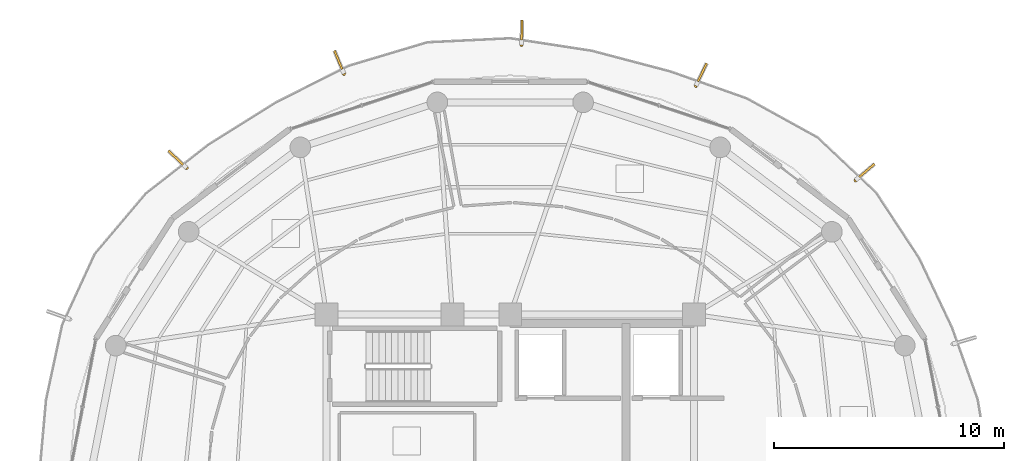
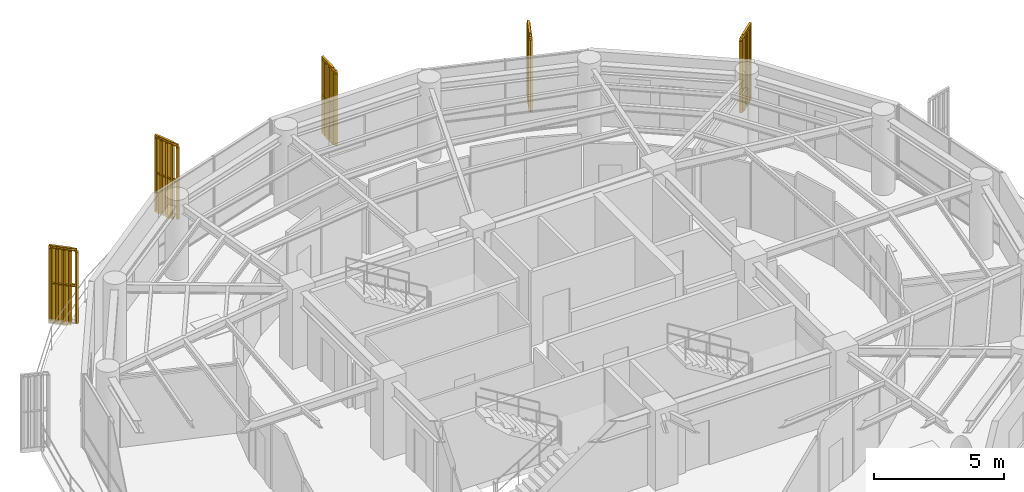
# One storey, part 23 of 23: 5 railings, 5 shading devices.
"""IFC4 building model written with IfcOpenShell, lengths in metres."""

from ifc_helpers import new_model, si_unit, direction, frame, origin, origin_2d, place, context, subcontext, project, spatial, polyline, rectangle, outline, extrude, source, transform, mapped, material, type_object, element, save


model = new_model("IFC4")

# Units and contexts
model_context = context("Model", 3, precision=1e-05, world=origin(), true_north=direction((0.0, 1.0)))
body_context = subcontext(model_context, "Body", "Model", "MODEL_VIEW")
ifc_project = project(units=[si_unit("LENGTHUNIT", "METRE"), si_unit("AREAUNIT", "SQUARE_METRE"), si_unit("VOLUMEUNIT", "CUBIC_METRE"), si_unit("PLANEANGLEUNIT", "RADIAN"), si_unit("MASSUNIT", "GRAM", prefix="KILO")], contexts=[model_context])

# Site, building, storey
site_placement = place(None, origin())
site = spatial("IfcSite", under=ifc_project, at=site_placement, CompositionType="ELEMENT")
building_placement = place(site_placement, origin())
building = spatial("IfcBuilding", under=site, at=building_placement, Name="Kelanora Arch Commons", CompositionType="ELEMENT")
storey_placement = place(building_placement, frame((0.0, 0.0, 286.199951171875)))
storey = spatial("IfcBuildingStorey", under=building, at=storey_placement, Name="L73", CompositionType="ELEMENT", Elevation=286.199951171875)

# Railings
ifc_material_1 = material(Name="Anodised bronze vertical shading fin rib assembly")
railing_type = type_object("IfcRailingType", Name="RAIL-FIN-BRZ", PredefinedType="BALUSTRADE", material=ifc_material_1)
railing_1_placement = place(storey_placement, frame((89.03662109375, 70.843017578125, -0.02001953125)))
element("IfcRailing", 1, at=railing_1_placement, inside=storey, type_object=railing_type, Name="Sweeping Bronze Vertical Fin Blade L73-02", PredefinedType="BALUSTRADE", context=body_context, shape_type="SweptSolid", body=[
    extrude(outline(polyline([(0.06982421875, 0.0), (0.034912109375, 0.060546875), (-0.034912109375, 0.060546875), (-0.06982421875, 0.0), (-0.034912109375, -0.060546875), (0.034912109375, -0.060546875), (0.06982421875, 0.0)])), frame((0.0, 0.0, 3.419921875), z_axis=(0.760486777666, 0.649353417636, 0.0), x_axis=(-0.649353417636, 0.760486777666, 0.0)), (0.0, 0.0, 1.0), 1.021484375),
    extrude(outline(polyline([(0.06982421875, 0.0), (0.034912109375, 0.060546875), (-0.034912109375, 0.060546875), (-0.06982421875, 0.0), (-0.034912109375, -0.060546875), (0.034912109375, -0.060546875), (0.06982421875, 0.0)])), frame((0.0, 0.0, 1.7451171875), z_axis=(0.760486777666, 0.649353417636, 0.0), x_axis=(-0.649353417636, 0.760486777666, 0.0)), (0.0, 0.0, 1.0), 1.021484375),
    extrude(outline(polyline([(0.080078125, 0.0), (0.0400390625, 0.0693359375), (-0.0400390625, 0.0693359375), (-0.080078125, 0.0), (-0.0400390625, -0.0693359375), (0.0400390625, -0.0693359375), (0.080078125, 0.0)])), origin(), (0.0, 0.0, 1.0), 3.35009765625),
    extrude(outline(polyline([(0.080078125, 0.0), (0.0400390625, 0.0693359375), (-0.0400390625, 0.0693359375), (-0.080078125, 0.0), (-0.0400390625, -0.0693359375), (0.0400390625, -0.0693359375), (0.080078125, 0.0)])), frame((0.1943359375, 0.165771484375, 0.0)), (0.0, 0.0, 1.0), 3.35009765625),
    extrude(outline(polyline([(0.080078125, 0.0), (0.0400390625, 0.0693359375), (-0.0400390625, 0.0693359375), (-0.080078125, 0.0), (-0.0400390625, -0.0693359375), (0.0400390625, -0.0693359375), (0.080078125, 0.0)])), frame((0.388427734375, 0.33154296875, 0.0)), (0.0, 0.0, 1.0), 3.35009765625),
    extrude(outline(polyline([(0.080078125, 0.0), (0.0400390625, 0.0693359375), (-0.0400390625, 0.0693359375), (-0.080078125, 0.0), (-0.0400390625, -0.0693359375), (0.0400390625, -0.0693359375), (0.080078125, 0.0)])), frame((0.58251953125, 0.49755859375, 0.0)), (0.0, 0.0, 1.0), 3.35009765625),
    extrude(outline(polyline([(0.080078125, 0.0), (0.0400390625, 0.0693359375), (-0.0400390625, 0.0693359375), (-0.080078125, 0.0), (-0.0400390625, -0.0693359375), (0.0400390625, -0.0693359375), (0.080078125, 0.0)])), frame((0.77685546875, 0.663330078125, 0.0)), (0.0, 0.0, 1.0), 3.35009765625),
])
railing_2_placement = place(storey_placement, frame((82.085205078125, 74.951904296875, -0.02001953125)))
element("IfcRailing", 2, at=railing_2_placement, inside=storey, type_object=railing_type, Name="Sweeping Bronze Vertical Fin Blade L73-03", PredefinedType="BALUSTRADE", context=body_context, shape_type="SweptSolid", body=[
    extrude(outline(polyline([(0.06982421875, 0.0), (0.034912109375, 0.060546875), (-0.034912109375, 0.060546875), (-0.06982421875, 0.0), (-0.034912109375, -0.060546875), (0.034912109375, -0.060546875), (0.06982421875, 0.0)])), frame((0.0, 0.0, 3.419921875), z_axis=(0.430601306856, 0.90254225083, 0.0), x_axis=(-0.90254225083, 0.430601306856, 0.0)), (0.0, 0.0, 1.0), 1.021728515625),
    extrude(outline(polyline([(0.06982421875, 0.0), (0.034912109375, 0.060546875), (-0.034912109375, 0.060546875), (-0.06982421875, 0.0), (-0.034912109375, -0.060546875), (0.034912109375, -0.060546875), (0.06982421875, 0.0)])), frame((0.0, 0.0, 1.7451171875), z_axis=(0.430601306856, 0.90254225083, 0.0), x_axis=(-0.90254225083, 0.430601306856, 0.0)), (0.0, 0.0, 1.0), 1.021728515625),
    extrude(outline(polyline([(0.080078125, 0.0), (0.0400390625, 0.0693359375), (-0.0400390625, 0.0693359375), (-0.080078125, 0.0), (-0.0400390625, -0.0693359375), (0.0400390625, -0.0693359375), (0.080078125, 0.0)])), origin(), (0.0, 0.0, 1.0), 3.35009765625),
    extrude(outline(polyline([(0.080078125, 0.0), (0.0400390625, 0.0693359375), (-0.0400390625, 0.0693359375), (-0.080078125, 0.0), (-0.0400390625, -0.0693359375), (0.0400390625, -0.0693359375), (0.080078125, 0.0)])), frame((0.10986328125, 0.23046875, 0.0)), (0.0, 0.0, 1.0), 3.35009765625),
    extrude(outline(polyline([(0.080078125, 0.0), (0.0400390625, 0.0693359375), (-0.0400390625, 0.0693359375), (-0.080078125, 0.0), (-0.0400390625, -0.0693359375), (0.0400390625, -0.0693359375), (0.080078125, 0.0)])), frame((0.219970703125, 0.4609375, 0.0)), (0.0, 0.0, 1.0), 3.35009765625),
    extrude(outline(polyline([(0.080078125, 0.0), (0.0400390625, 0.0693359375), (-0.0400390625, 0.0693359375), (-0.080078125, 0.0), (-0.0400390625, -0.0693359375), (0.0400390625, -0.0693359375), (0.080078125, 0.0)])), frame((0.330078125, 0.691650390625, 0.0)), (0.0, 0.0, 1.0), 3.35009765625),
    extrude(outline(polyline([(0.080078125, 0.0), (0.0400390625, 0.0693359375), (-0.0400390625, 0.0693359375), (-0.080078125, 0.0), (-0.0400390625, -0.0693359375), (0.0400390625, -0.0693359375), (0.080078125, 0.0)])), frame((0.43994140625, 0.922119140625, 0.0)), (0.0, 0.0, 1.0), 3.35009765625),
])
railing_3_placement = place(storey_placement, frame((74.489990234375, 76.7255859375, -0.02001953125)))
element("IfcRailing", 3, at=railing_3_placement, inside=storey, type_object=railing_type, Name="Sweeping Bronze Vertical Fin Blade L73-04", PredefinedType="BALUSTRADE", context=body_context, shape_type="SweptSolid", body=[
    extrude(outline(polyline([(0.06982421875, 0.0), (0.034912109375, 0.060546875), (-0.034912109375, 0.060546875), (-0.06982421875, 0.0), (-0.034912109375, -0.060546875), (0.034912109375, -0.060546875), (0.06982421875, 0.0)])), frame((0.0, 0.0, 3.419921875), z_axis=(0.026042789284, 0.999660829045, 0.0), x_axis=(-0.999660829045, 0.026042789284, 0.0)), (0.0, 0.0, 1.0), 1.021728515625),
    extrude(outline(polyline([(0.06982421875, 0.0), (0.034912109375, 0.060546875), (-0.034912109375, 0.060546875), (-0.06982421875, 0.0), (-0.034912109375, -0.060546875), (0.034912109375, -0.060546875), (0.06982421875, 0.0)])), frame((0.0, 0.0, 1.7451171875), z_axis=(0.026042789284, 0.999660829045, 0.0), x_axis=(-0.999660829045, 0.026042789284, 0.0)), (0.0, 0.0, 1.0), 1.021728515625),
    extrude(outline(polyline([(0.080078125, 0.0), (0.0400390625, 0.0693359375), (-0.0400390625, 0.0693359375), (-0.080078125, 0.0), (-0.0400390625, -0.0693359375), (0.0400390625, -0.0693359375), (0.080078125, 0.0)])), origin(), (0.0, 0.0, 1.0), 3.35009765625),
    extrude(outline(polyline([(0.080078125, 0.0), (0.0400390625, 0.0693359375), (-0.0400390625, 0.0693359375), (-0.080078125, 0.0), (-0.0400390625, -0.0693359375), (0.0400390625, -0.0693359375), (0.080078125, 0.0)])), frame((0.006591796875, 0.25537109375, 0.0)), (0.0, 0.0, 1.0), 3.35009765625),
    extrude(outline(polyline([(0.080078125, 0.0), (0.0400390625, 0.0693359375), (-0.0400390625, 0.0693359375), (-0.080078125, 0.0), (-0.0400390625, -0.0693359375), (0.0400390625, -0.0693359375), (0.080078125, 0.0)])), frame((0.01318359375, 0.5107421875, 0.0)), (0.0, 0.0, 1.0), 3.35009765625),
    extrude(outline(polyline([(0.080078125, 0.0), (0.0400390625, 0.0693359375), (-0.0400390625, 0.0693359375), (-0.080078125, 0.0), (-0.0400390625, -0.0693359375), (0.0400390625, -0.0693359375), (0.080078125, 0.0)])), frame((0.02001953125, 0.76611328125, 0.0)), (0.0, 0.0, 1.0), 3.35009765625),
    extrude(outline(polyline([(0.080078125, 0.0), (0.0400390625, 0.0693359375), (-0.0400390625, 0.0693359375), (-0.080078125, 0.0), (-0.0400390625, -0.0693359375), (0.0400390625, -0.0693359375), (0.080078125, 0.0)])), frame((0.026611328125, 1.021484375, 0.0)), (0.0, 0.0, 1.0), 3.35009765625),
])
railing_4_placement = place(storey_placement, frame((66.760009765625, 75.47802734375, -0.02001953125)))
element("IfcRailing", 4, at=railing_4_placement, inside=storey, type_object=railing_type, Name="Sweeping Bronze Vertical Fin Blade L73-05", PredefinedType="BALUSTRADE", context=body_context, shape_type="SweptSolid", body=[
    extrude(outline(polyline([(0.06982421875, 0.0), (0.034912109375, 0.060546875), (-0.034912109375, 0.060546875), (-0.06982421875, 0.0), (-0.034912109375, -0.060546875), (0.034912109375, -0.060546875), (0.06982421875, 0.0)])), frame((0.0, 0.0, 3.419921875), z_axis=(-0.382816081528, 0.923824576272, 0.0), x_axis=(-0.923824576272, -0.382816081528, 0.0)), (0.0, 0.0, 1.0), 1.021728515625),
    extrude(outline(polyline([(0.06982421875, 0.0), (0.034912109375, 0.060546875), (-0.034912109375, 0.060546875), (-0.06982421875, 0.0), (-0.034912109375, -0.060546875), (0.034912109375, -0.060546875), (0.06982421875, 0.0)])), frame((0.0, 0.0, 1.7451171875), z_axis=(-0.382816081528, 0.923824576272, 0.0), x_axis=(-0.923824576272, -0.382816081528, 0.0)), (0.0, 0.0, 1.0), 1.021728515625),
    extrude(outline(polyline([(0.080078125, 0.0), (0.0400390625, 0.0693359375), (-0.0400390625, 0.0693359375), (-0.080078125, 0.0), (-0.0400390625, -0.0693359375), (0.0400390625, -0.0693359375), (0.080078125, 0.0)])), origin(), (0.0, 0.0, 1.0), 3.35009765625),
    extrude(outline(polyline([(0.080078125, 0.0), (0.0400390625, 0.0693359375), (-0.0400390625, 0.0693359375), (-0.080078125, 0.0), (-0.0400390625, -0.0693359375), (0.0400390625, -0.0693359375), (0.080078125, 0.0)])), frame((-0.09765625, 0.23583984375, 0.0)), (0.0, 0.0, 1.0), 3.35009765625),
    extrude(outline(polyline([(0.080078125, 0.0), (0.0400390625, 0.0693359375), (-0.0400390625, 0.0693359375), (-0.080078125, 0.0), (-0.0400390625, -0.0693359375), (0.0400390625, -0.0693359375), (0.080078125, 0.0)])), frame((-0.195556640625, 0.471923828125, 0.0)), (0.0, 0.0, 1.0), 3.35009765625),
    extrude(outline(polyline([(0.080078125, 0.0), (0.0400390625, 0.0693359375), (-0.0400390625, 0.0693359375), (-0.080078125, 0.0), (-0.0400390625, -0.0693359375), (0.0400390625, -0.0693359375), (0.080078125, 0.0)])), frame((-0.29345703125, 0.7080078125, 0.0)), (0.0, 0.0, 1.0), 3.35009765625),
    extrude(outline(polyline([(0.080078125, 0.0), (0.0400390625, 0.0693359375), (-0.0400390625, 0.0693359375), (-0.080078125, 0.0), (-0.0400390625, -0.0693359375), (0.0400390625, -0.0693359375), (0.080078125, 0.0)])), frame((-0.39111328125, 0.94384765625, 0.0)), (0.0, 0.0, 1.0), 3.35009765625),
])
railing_5_placement = place(storey_placement, frame((59.906494140625, 71.373779296875, -0.02001953125)))
element("IfcRailing", 5, at=railing_5_placement, inside=storey, type_object=railing_type, Name="Sweeping Bronze Vertical Fin Blade L73-06", PredefinedType="BALUSTRADE", context=body_context, shape_type="SweptSolid", body=[
    extrude(outline(polyline([(0.06982421875, 0.0), (0.034912109375, 0.060546875), (-0.034912109375, 0.060546875), (-0.06982421875, 0.0), (-0.034912109375, -0.060546875), (0.034912109375, -0.060546875), (0.06982421875, 0.0)])), frame((0.0, 0.0, 3.419921875), z_axis=(-0.725500410574, 0.688221733351, 0.0), x_axis=(-0.688221733351, -0.725500410574, 0.0)), (0.0, 0.0, 1.0), 1.021728515625),
    extrude(outline(polyline([(0.06982421875, 0.0), (0.034912109375, 0.060546875), (-0.034912109375, 0.060546875), (-0.06982421875, 0.0), (-0.034912109375, -0.060546875), (0.034912109375, -0.060546875), (0.06982421875, 0.0)])), frame((0.0, 0.0, 1.7451171875), z_axis=(-0.725500410574, 0.688221733351, 0.0), x_axis=(-0.688221733351, -0.725500410574, 0.0)), (0.0, 0.0, 1.0), 1.021728515625),
    extrude(outline(polyline([(0.080078125, 0.0), (0.0400390625, 0.0693359375), (-0.0400390625, 0.0693359375), (-0.080078125, 0.0), (-0.0400390625, -0.0693359375), (0.0400390625, -0.0693359375), (0.080078125, 0.0)])), origin(), (0.0, 0.0, 1.0), 3.35009765625),
    extrude(outline(polyline([(0.080078125, 0.0), (0.0400390625, 0.0693359375), (-0.0400390625, 0.0693359375), (-0.080078125, 0.0), (-0.0400390625, -0.0693359375), (0.0400390625, -0.0693359375), (0.080078125, 0.0)])), frame((-0.185302734375, 0.17578125, 0.0)), (0.0, 0.0, 1.0), 3.35009765625),
    extrude(outline(polyline([(0.080078125, 0.0), (0.0400390625, 0.0693359375), (-0.0400390625, 0.0693359375), (-0.080078125, 0.0), (-0.0400390625, -0.0693359375), (0.0400390625, -0.0693359375), (0.080078125, 0.0)])), frame((-0.37060546875, 0.3515625, 0.0)), (0.0, 0.0, 1.0), 3.35009765625),
    extrude(outline(polyline([(0.080078125, 0.0), (0.0400390625, 0.0693359375), (-0.0400390625, 0.0693359375), (-0.080078125, 0.0), (-0.0400390625, -0.0693359375), (0.0400390625, -0.0693359375), (0.080078125, 0.0)])), frame((-0.555908203125, 0.52734375, 0.0)), (0.0, 0.0, 1.0), 3.35009765625),
    extrude(outline(polyline([(0.080078125, 0.0), (0.0400390625, 0.0693359375), (-0.0400390625, 0.0693359375), (-0.080078125, 0.0), (-0.0400390625, -0.0693359375), (0.0400390625, -0.0693359375), (0.080078125, 0.0)])), frame((-0.7412109375, 0.703125, 0.0)), (0.0, 0.0, 1.0), 3.35009765625),
])

# Shading devices
ifc_material_2 = material(Name="Terracotta ceramic-clad extruded aluminium fin", Category="masonry")
shading_device_type = type_object("IfcShadingDeviceType", Name="SHD-FIN-FLARE", PredefinedType="USERDEFINED", material=ifc_material_2)
shared_shape = source(origin(), body_context, "Body", "SweptSolid", [
    extrude(rectangle(XDim=0.8798828125, YDim=0.090087890625, at=origin_2d()), origin(), (0.0, 0.0, 1.0), 3.610107421875),
])
for number, where, z_axis, x_axis, name in (
    (6, (89.531494140625, 71.265625, -0.14013671875), (0.0, 0.0, 1.0), (0.7604059656, 0.64944804833, 0.0), "Sweeping Terracotta Fin L73-02"),
    (7, (82.365478515625, 75.539306640625, -0.14013671875), (0.0, 0.0, 1.0), (0.430511096808, 0.90258528435, 0.0), "Sweeping Terracotta Fin L73-03"),
    (8, (74.507080078125, 77.376220703125, -0.14013671875), (0.0, 0.0, 1.0), (0.026176948308, 0.999657324976, 0.0), "Sweeping Terracotta Fin L73-04"),
    (9, (66.510986328125, 76.079345703125, -0.14013671875), (0.0, 0.0, 1.0), (-0.382683432365, 0.923879532511, 0.0), "Sweeping Terracotta Fin L73-05"),
    (10, (59.434326171875, 71.82177734375, -0.14013671875), (0.0, 0.0, 1.0), (-0.725374371012, 0.688354575694, 0.0), "Sweeping Terracotta Fin L73-06"),
):
    element("IfcShadingDevice", number, at=place(storey_placement, frame(where, z_axis=z_axis, x_axis=x_axis)), inside=storey, type_object=shading_device_type, Name=name, ObjectType="FIN", PredefinedType="USERDEFINED", context=body_context, shape_type="MappedRepresentation", body=[
        mapped(shared_shape, transform((0.0, 0.0, 0.0), scale=1.0)),
    ])

save(model, "model.ifc")
